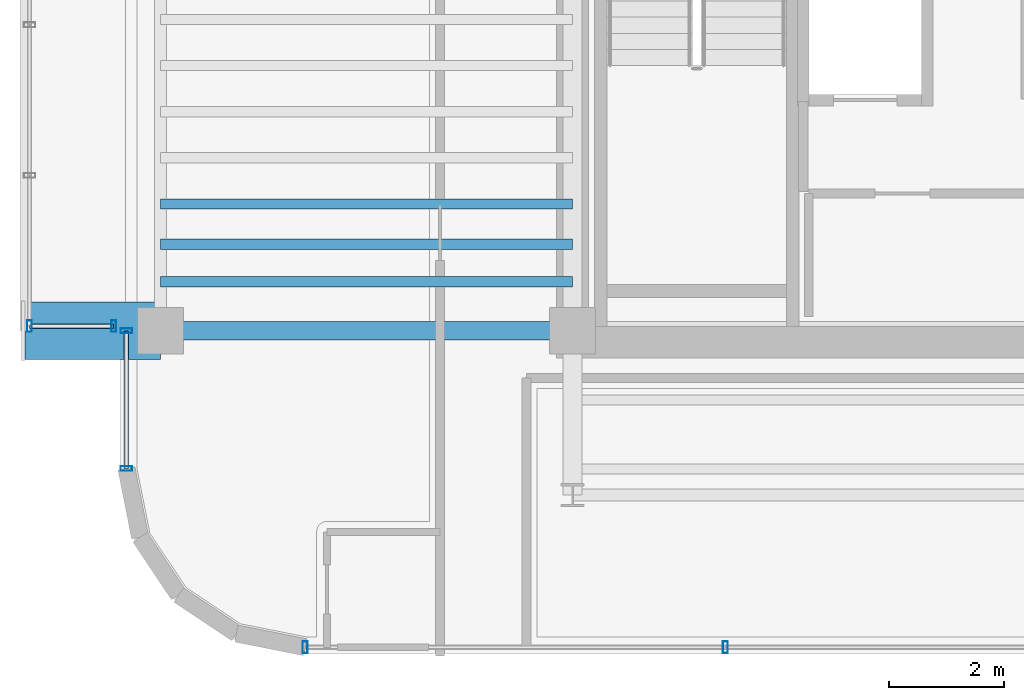
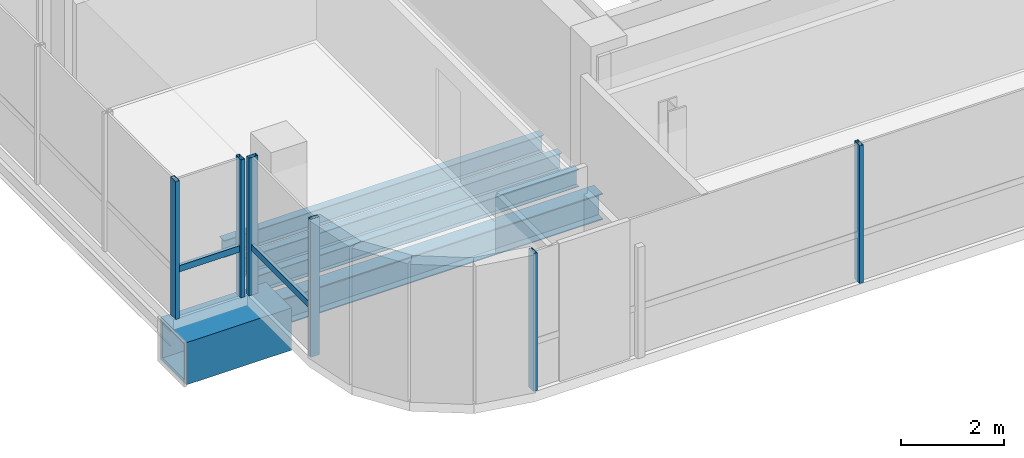
# One storey, part 2 of 19: 8 members, 5 beams, 3 elements without a shape of their own.
"""IFC4 building model written with IfcOpenShell, lengths in metres."""

from ifc_helpers import new_model, si_unit, direction, frame, origin, origin_2d, place, context, subcontext, project, spatial, hollow_rectangle, i_section, extrude, source, transform, mapped, material, material_profile, profile_set, type_object, element, aggregate, save


model = new_model("IFC4")

# Units and contexts
model_context = context("Model", 3, precision=1e-05, world=origin(), true_north=direction((0.0, 1.0)))
body_context = subcontext(model_context, "Body", "Model", "MODEL_VIEW")
ifc_project = project(units=[si_unit("LENGTHUNIT", "METRE"), si_unit("AREAUNIT", "SQUARE_METRE"), si_unit("VOLUMEUNIT", "CUBIC_METRE"), si_unit("PLANEANGLEUNIT", "RADIAN"), si_unit("MASSUNIT", "GRAM", prefix="KILO")], contexts=[model_context])

# Site, building, storey
site_placement = place(None, origin())
site = spatial("IfcSite", under=ifc_project, at=site_placement, CompositionType="ELEMENT")
building_placement = place(site_placement, origin())
building = spatial("IfcBuilding", under=site, at=building_placement, Name="Valdorenza Pilgrim Sanctuary Tower", CompositionType="ELEMENT")
storey_placement = place(building_placement, frame((0.0, 0.0, 269.5)))
storey = spatial("IfcBuildingStorey", under=building, at=storey_placement, Name="L70", CompositionType="ELEMENT", Elevation=269.5)

# Beams
ifc_material_1 = material(Name="Steel ASTM A992 Grade 50", Category="steel")
ifc_material_profile_1 = material_profile(ifc_material_1, i_section(OverallWidth=0.177978515625, OverallDepth=0.406005859375, WebThickness=0.0078125, FlangeThickness=0.0126953125, at=origin_2d()), Name="W16X40")
ifc_profile_set_1 = profile_set([ifc_material_profile_1], Name="Steel ASTM A992 Grade 50")
beam_type_1 = type_object("IfcBeamType", Name="STR-BM-JST-W16", PredefinedType="JOIST", material=ifc_profile_set_1)
shared_shape_1 = source(origin(), body_context, "Body", "SweptSolid", [
    extrude(i_section(OverallWidth=0.177978515625, OverallDepth=0.406005859375, WebThickness=0.0078125, FlangeThickness=0.0126953125, at=origin_2d()), origin(), (0.0, 0.0, 1.0), 7.150146484375),
])
for number, where, z_axis, x_axis, name in (
    (1, (-29.800048828125, -9.75, -0.443115234375), (1.0, 0.0, 0.0), (0.0, 1.0, 0.0), "L70 Composite Floor Joist JST-WA-1"),
    (2, (-29.800048828125, -9.10009765625, -0.443115234375), (1.0, 0.0, 0.0), (0.0, 1.0, 0.0), "L70 Composite Floor Joist JST-WA-2"),
    (3, (-29.800048828125, -8.39990234375, -0.443115234375), (1.0, 0.0, 0.0), (0.0, 1.0, 0.0), "L70 Composite Floor Joist JST-WA-3"),
):
    element("IfcBeam", number, at=place(storey_placement, frame(where, z_axis=z_axis, x_axis=x_axis)), inside=storey, type_object=beam_type_1, Name=name, PredefinedType="JOIST", context=body_context, shape_type="MappedRepresentation", body=[
        mapped(shared_shape_1, transform((0.0, 0.0, 0.0), x_axis=(1.0, 0.0, 0.0), y_axis=(0.0, 1.0, 0.0), z_axis=(0.0, 0.0, 1.0), scale=1.0)),
    ])
ifc_material_2 = material(Name="Steel ASTM A572 Grade 42", Category="steel")
ifc_material_profile_2 = material_profile(ifc_material_2, hollow_rectangle(XDim=1.0, YDim=1.0, WallThickness=0.080078125, at=origin_2d()), Name="BOX 1000x1000x80")
ifc_profile_set_2 = profile_set([ifc_material_profile_2], Name="Steel ASTM A572 Grade 42")
beam_type_2 = type_object("IfcBeamType", Name="STR-BM-PROW-CANT", PredefinedType="BEAM", material=ifc_profile_set_2)
shared_shape_2 = source(origin(), body_context, "Body", "SweptSolid", [
    extrude(hollow_rectangle(XDim=1.0, YDim=1.0, WallThickness=0.080078125, at=origin_2d()), origin(), (0.0, 0.0, 1.0), 2.349853515625),
])
beam_1_placement = place(storey_placement, frame((-29.800048828125, -10.60009765625, -0.739990234375), z_axis=(-1.0, 0.0, 0.0), x_axis=(0.0, -1.0, 0.0)))
element("IfcBeam", 4, at=beam_1_placement, inside=storey, type_object=beam_type_2, Name="L70 Glass Box Cantilever Beam BOX-WA-L70-CT-S", PredefinedType="BEAM", context=body_context, shape_type="MappedRepresentation", body=[
    mapped(shared_shape_2, transform((0.0, 0.0, 0.0), x_axis=(1.0, 0.0, 0.0), y_axis=(0.0, 1.0, 0.0), z_axis=(0.0, 0.0, 1.0), scale=1.0)),
])
ifc_material_profile_3 = material_profile(ifc_material_1, i_section(OverallWidth=0.326904296875, OverallDepth=0.6220703125, WebThickness=0.015380859375, FlangeThickness=0.0244140625, at=origin_2d()), Name="W24X131")
ifc_profile_set_3 = profile_set([ifc_material_profile_3], Name="Steel ASTM A992 Grade 50")
beam_type_3 = type_object("IfcBeamType", Name="STR-BM-GRD-W24A", PredefinedType="BEAM", material=ifc_profile_set_3)
shared_shape_3 = source(origin(), body_context, "Body", "SweptSolid", [
    extrude(i_section(OverallWidth=0.326904296875, OverallDepth=0.6220703125, WebThickness=0.015380859375, FlangeThickness=0.0244140625, at=origin_2d()), origin(), (0.0, 0.0, 1.0), 7.150146484375),
])
beam_2_placement = place(storey_placement, frame((-29.800048828125, -10.60009765625, -0.551025390625), z_axis=(1.0, 0.0, 0.0), x_axis=(0.0, 1.0, 0.0)))
element("IfcBeam", 5, at=beam_2_placement, inside=storey, type_object=beam_type_3, Name="L70 Floor Girder WA-XW-S1", PredefinedType="BEAM", context=body_context, shape_type="MappedRepresentation", body=[
    mapped(shared_shape_3, transform((0.0, 0.0, 0.0), x_axis=(1.0, 0.0, 0.0), y_axis=(0.0, 1.0, 0.0), z_axis=(0.0, 0.0, 1.0), scale=1.0)),
])

# Curtain wall, member
ifc_material_3 = material(Name="Curtain-wall IGU glazing", Category="glass")
curtain_wall_type = type_object("IfcCurtainWallType", Name="CW-SYS-02", PredefinedType="NOTDEFINED", material=ifc_material_3)
curtain_wall_1_placement = place(storey_placement, origin())
curtain_wall_1 = element("IfcCurtainWall", 6, at=curtain_wall_1_placement, inside=storey, type_object=curtain_wall_type, Name="L70 Curtain Wall CW-L70-BOX-WA-L70-S", PredefinedType="NOTDEFINED")
ifc_material_4 = material(Name="Anodised aluminium AW-6060", Category="aluminium")
ifc_material_profile_4 = material_profile(ifc_material_4, hollow_rectangle(XDim=0.074951171875, YDim=0.14990234375, WallThickness=0.00390625, at=origin_2d()), Name="ALU-T 150x75x4")
ifc_profile_set_4 = profile_set([ifc_material_profile_4], Name="Anodised aluminium AW-6060")
member_type_1 = type_object("IfcMemberType", Name="CW-TRN-02", PredefinedType="USERDEFINED", material=ifc_profile_set_4)
shared_shape_4 = source(origin(), body_context, "Body", "SweptSolid", [
    extrude(hollow_rectangle(XDim=0.074951171875, YDim=0.14990234375, WallThickness=0.00390625, at=origin_2d()), origin(), (0.0, 0.0, 1.0), 1.4599609375),
])
member_1_placement = place(storey_placement, frame((-30.610107421875, -10.52001953125, 1.1201171875), z_axis=(-1.0, 0.0, 0.0), x_axis=(0.0, -1.0, 0.0)))
member_1 = element("IfcMember", 7, at=member_1_placement, type_object=member_type_1, Name="CW-L70-BOX-WA-L70-S Transom 1", ObjectType="TRANSOM", PredefinedType="USERDEFINED", context=body_context, shape_type="MappedRepresentation", body=[
    mapped(shared_shape_4, transform((0.0, 0.0, 0.0), x_axis=(1.0, 0.0, 0.0), y_axis=(0.0, 1.0, 0.0), z_axis=(0.0, 0.0, 1.0), scale=1.0)),
])

# Curtain wall, members
curtain_wall_2_placement = place(storey_placement, origin())
curtain_wall_2 = element("IfcCurtainWall", 8, at=curtain_wall_2_placement, inside=storey, type_object=curtain_wall_type, Name="L70 Curtain Wall CW-L70-1-1S1", PredefinedType="NOTDEFINED")
ifc_material_profile_5 = material_profile(ifc_material_4, hollow_rectangle(XDim=0.0849609375, YDim=0.199951171875, WallThickness=0.0048828125, at=origin_2d()), Name="ALU-M 200x85x5")
ifc_profile_set_5 = profile_set([ifc_material_profile_5], Name="Anodised aluminium AW-6060")
member_type_2 = type_object("IfcMemberType", Name="CW-MUL-02", PredefinedType="MULLION", material=ifc_profile_set_5)
shared_shape_5 = source(origin(), body_context, "Body", "SweptSolid", [
    extrude(hollow_rectangle(XDim=0.0849609375, YDim=0.199951171875, WallThickness=0.0048828125, at=origin_2d()), origin(), (0.0, 0.0, 1.0), 3.260009765625),
])
member_2_placement = place(storey_placement, frame((-30.389892578125, -12.9892578125, 0.0), z_axis=(0.0, 0.0, 1.0), x_axis=(0.0, 1.0, 0.0)))
member_2 = element("IfcMember", 9, at=member_2_placement, type_object=member_type_2, Name="CW-L70-1-1S1 Mullion 1", PredefinedType="MULLION", context=body_context, shape_type="MappedRepresentation", body=[
    mapped(shared_shape_5, transform((0.0, 0.0, 0.0), x_axis=(1.0, 0.0, 0.0), y_axis=(0.0, 1.0, 0.0), z_axis=(0.0, 0.0, 1.0), scale=1.0)),
])
member_3_placement = place(storey_placement, frame((-30.389892578125, -10.60009765625, 0.0), z_axis=(0.0, 0.0, 1.0), x_axis=(0.0, 1.0, 0.0)))
member_3 = element("IfcMember", 10, at=member_3_placement, type_object=member_type_2, Name="CW-L70-1-1S1 Mullion 2", PredefinedType="MULLION", context=body_context, shape_type="MappedRepresentation", body=[
    mapped(shared_shape_5, transform((0.0, 0.0, 0.0), x_axis=(1.0, 0.0, 0.0), y_axis=(0.0, 1.0, 0.0), z_axis=(0.0, 0.0, 1.0), scale=1.0)),
])

curtain_wall_3_placement = place(storey_placement, origin())
curtain_wall_3 = element("IfcCurtainWall", 11, at=curtain_wall_3_placement, inside=storey, type_object=curtain_wall_type, Name="L70 Curtain Wall CW-L70-1-26", PredefinedType="NOTDEFINED")
member_4_placement = place(storey_placement, frame((-20.0, -16.090087890625, 0.0), z_axis=(0.0, 0.0, 1.0), x_axis=(-1.0, 0.0, 0.0)))
member_4 = element("IfcMember", 12, at=member_4_placement, type_object=member_type_2, Name="CW-L70-1-26 Mullion 2", PredefinedType="MULLION", context=body_context, shape_type="MappedRepresentation", body=[
    mapped(shared_shape_5, transform((0.0, 0.0, 0.0), x_axis=(1.0, 0.0, 0.0), y_axis=(0.0, 1.0, 0.0), z_axis=(0.0, 0.0, 1.0), scale=1.0)),
])
member_5_placement = place(storey_placement, frame((-27.289306640625, -16.090087890625, 0.0), z_axis=(0.0, 0.0, 1.0), x_axis=(-1.0, 0.0, 0.0)))
member_5 = element("IfcMember", 13, at=member_5_placement, type_object=member_type_2, Name="CW-L70-1-26 Mullion 3", PredefinedType="MULLION", context=body_context, shape_type="MappedRepresentation", body=[
    mapped(shared_shape_5, transform((0.0, 0.0, 0.0), x_axis=(1.0, 0.0, 0.0), y_axis=(0.0, 1.0, 0.0), z_axis=(0.0, 0.0, 1.0), scale=1.0)),
])
aggregate(curtain_wall_3, [member_4, member_5])

# Member
member_6_placement = place(storey_placement, frame((-30.610107421875, -10.52001953125, 0.0), z_axis=(0.0, 0.0, 1.0), x_axis=(-1.0, 0.0, 0.0)))
member_6 = element("IfcMember", 14, at=member_6_placement, type_object=member_type_2, Name="CW-L70-BOX-WA-L70-S Mullion 1", PredefinedType="MULLION", context=body_context, shape_type="MappedRepresentation", body=[
    mapped(shared_shape_5, transform((0.0, 0.0, 0.0), x_axis=(1.0, 0.0, 0.0), y_axis=(0.0, 1.0, 0.0), z_axis=(0.0, 0.0, 1.0), scale=1.0)),
])

member_7_placement = place(storey_placement, frame((-32.070068359375, -10.52001953125, 0.0), z_axis=(0.0, 0.0, 1.0), x_axis=(-1.0, 0.0, 0.0)))
member_7 = element("IfcMember", 15, at=member_7_placement, type_object=member_type_2, Name="CW-L70-BOX-WA-L70-S Mullion 2", PredefinedType="MULLION", context=body_context, shape_type="MappedRepresentation", body=[
    mapped(shared_shape_5, transform((0.0, 0.0, 0.0), x_axis=(1.0, 0.0, 0.0), y_axis=(0.0, 1.0, 0.0), z_axis=(0.0, 0.0, 1.0), scale=1.0)),
])

aggregate(curtain_wall_1, [member_6, member_7, member_1])

shared_shape_6 = source(origin(), body_context, "Body", "SweptSolid", [
    extrude(hollow_rectangle(XDim=0.074951171875, YDim=0.14990234375, WallThickness=0.00390625, at=origin_2d()), origin(), (0.0, 0.0, 1.0), 2.38916015625),
])
member_8_placement = place(storey_placement, frame((-30.389892578125, -12.9892578125, 1.1201171875), z_axis=(0.0, 1.0, 0.0), x_axis=(-1.0, 0.0, 0.0)))
member_8 = element("IfcMember", 16, at=member_8_placement, type_object=member_type_1, Name="CW-L70-1-1S1 Transom 1", ObjectType="TRANSOM", PredefinedType="USERDEFINED", context=body_context, shape_type="MappedRepresentation", body=[
    mapped(shared_shape_6, transform((0.0, 0.0, 0.0), x_axis=(1.0, 0.0, 0.0), y_axis=(0.0, 1.0, 0.0), z_axis=(0.0, 0.0, 1.0), scale=1.0)),
])

aggregate(curtain_wall_2, [member_2, member_3, member_8])

save(model, "model.ifc")
